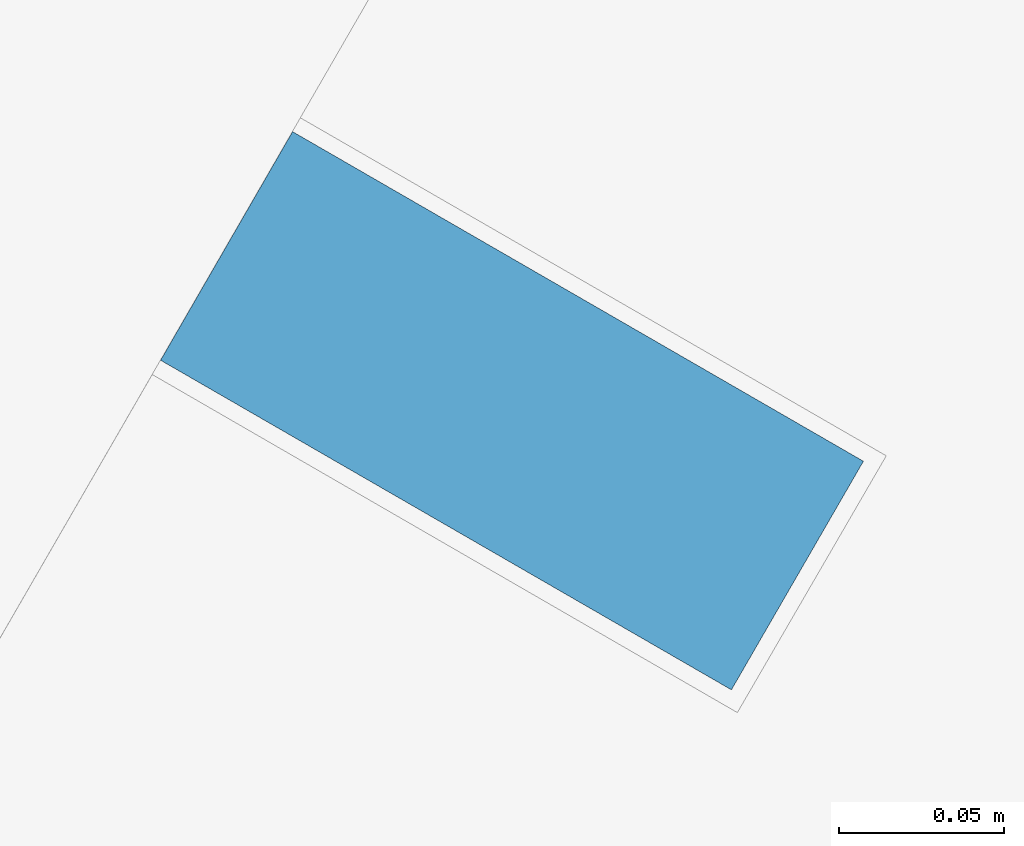
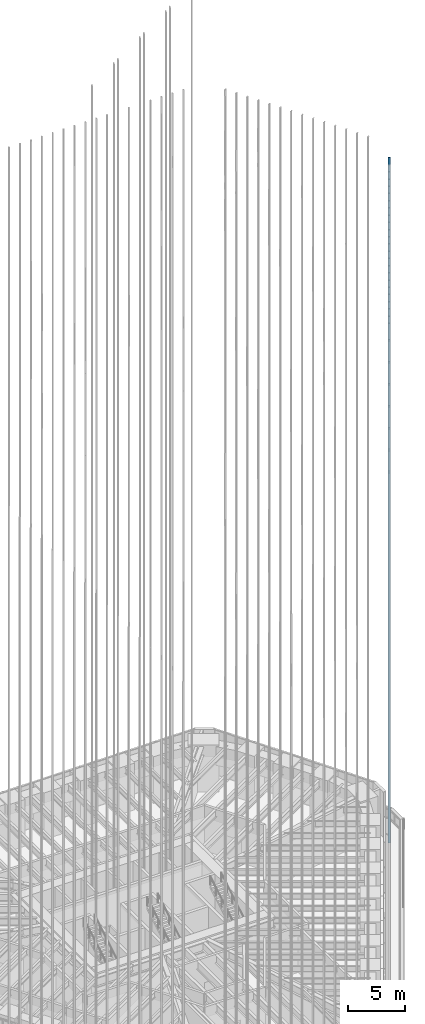
# One storey, part 186 of 228: 1 member, 1 element without a shape of its own.
"""IFC4 building model written with IfcOpenShell, lengths in metres."""

from ifc_helpers import new_model, si_unit, direction, frame, origin, origin_2d, place, context, subcontext, project, spatial, rectangle, extrude, material, material_profile, profile_set, type_object, element, aggregate, save


model = new_model("IFC4")

# Units and contexts
model_context = context("Model", 3, precision=1e-05, world=origin(), true_north=direction((0.0, 1.0)))
body_context = subcontext(model_context, "Body", "Model", "MODEL_VIEW")
ifc_project = project(units=[si_unit("LENGTHUNIT", "METRE"), si_unit("AREAUNIT", "SQUARE_METRE"), si_unit("VOLUMEUNIT", "CUBIC_METRE"), si_unit("PLANEANGLEUNIT", "RADIAN"), si_unit("MASSUNIT", "GRAM", prefix="KILO")], contexts=[model_context])

# Site, building, storey
site_placement = place(None, origin())
site = spatial("IfcSite", under=ifc_project, at=site_placement, CompositionType="ELEMENT")
building_placement = place(site_placement, origin())
building = spatial("IfcBuilding", under=site, at=building_placement, Name="Sandreach Pilgrim Tower", CompositionType="ELEMENT")
storey_placement = place(building_placement, frame((0.0, 0.0, 178.199951171875)))
storey = spatial("IfcBuildingStorey", under=building, at=storey_placement, Name="L44", CompositionType="ELEMENT", Elevation=178.199951171875)

# Curtain wall, member
ifc_material_1 = material(Name="Aluminium framed curtain wall", Category="aluminium")
curtain_wall_type = type_object("IfcCurtainWallType", Name="Upper hotel tower curtain wall", PredefinedType="NOTDEFINED", material=ifc_material_1)
curtain_wall_placement = place(storey_placement, origin())
curtain_wall = element("IfcCurtainWall", 1, at=curtain_wall_placement, inside=storey, type_object=curtain_wall_type, Name="CW-3 L44 SE", PredefinedType="NOTDEFINED")
ifc_material_2 = material(Name="Extruded terracotta on aluminium core", Category="masonry")
ifc_material_profile = material_profile(ifc_material_2, rectangle(XDim=0.080078125, YDim=0.199951171875, at=origin_2d()), Name="TBE 80X200")
ifc_profile_set = profile_set([ifc_material_profile], Name="Extruded terracotta on aluminium core")
member_type = type_object("IfcMemberType", Name="Terracotta baguette east", PredefinedType="USERDEFINED", material=ifc_profile_set)
member_placement = place(storey_placement, frame((26.931396484375, 3.5263671875, 0.0), z_axis=(0.0, 0.0, 1.0), x_axis=(-0.5, -0.866025403784, 0.0)))
member = element("IfcMember", 2, at=member_placement, type_object=member_type, Name="Baguette Z3 SE01", ObjectType="BAGUETTE", PredefinedType="USERDEFINED", context=body_context, shape_type="SweptSolid", body=[
    extrude(rectangle(XDim=0.080078125, YDim=0.199951171875, at=origin_2d()), origin(), (0.0, 0.0, 1.0), 73.239990234375),
])
aggregate(curtain_wall, [member])

save(model, "model.ifc")
